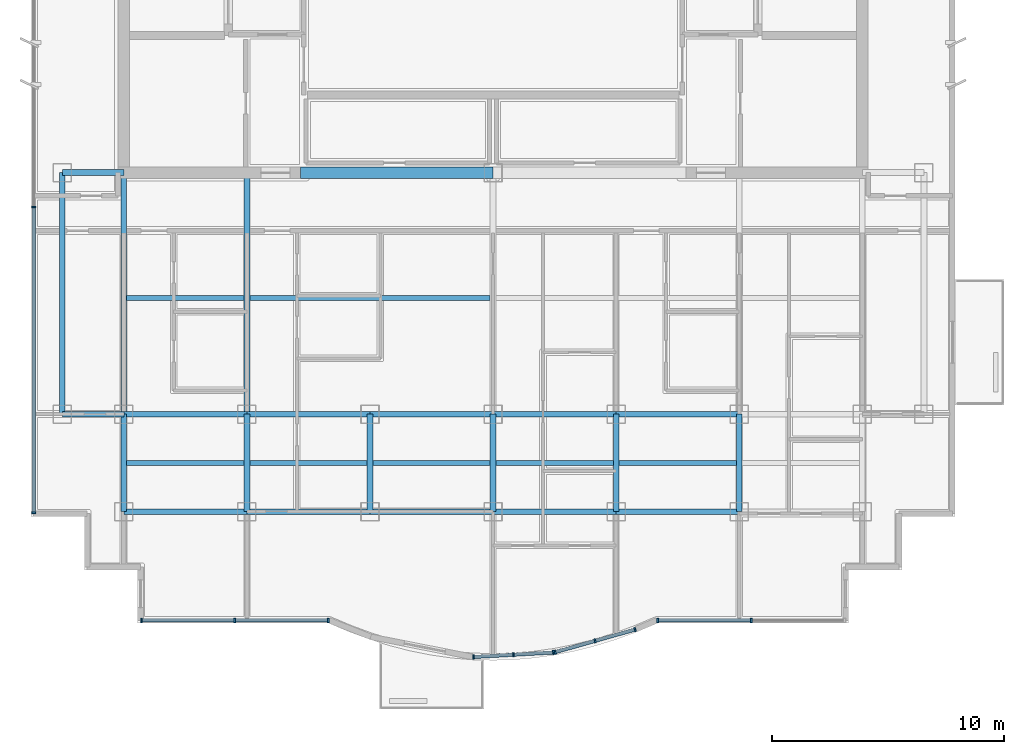
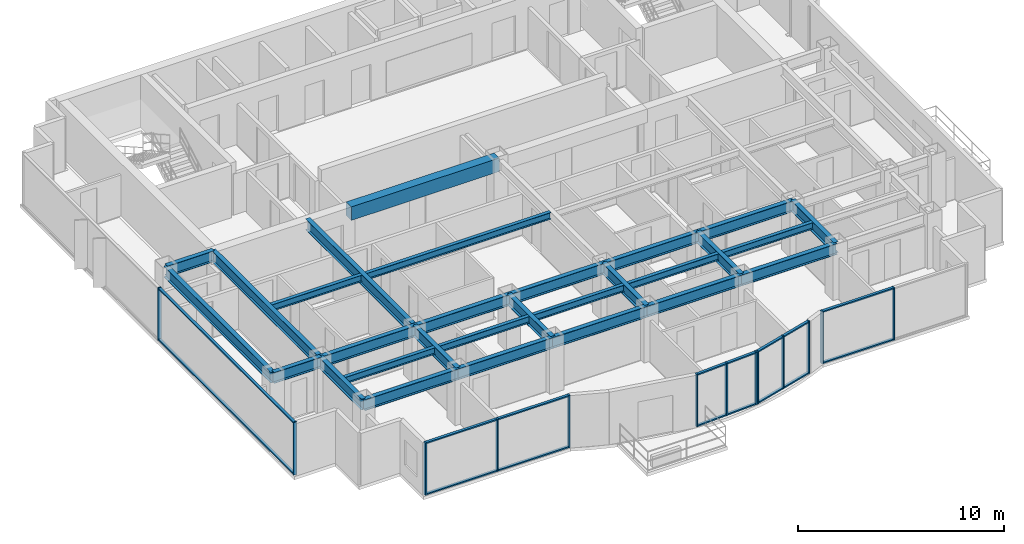
# One storey, part 2 of 11: 29 beams, 29 members, 5 elements without a shape of their own.
"""IFC4 building model written with IfcOpenShell, lengths in metres."""

from ifc_helpers import new_model, si_unit, direction, frame, origin, origin_2d, place, context, subcontext, project, spatial, rectangle, i_section, extrude, source, transform, mapped, material, layer, layer_set, material_profile, profile_set, type_object, element, aggregate, save


model = new_model("IFC4")

# Units and contexts
model_context = context("Model", 3, precision=1e-05, world=origin(), true_north=direction((0.0, 1.0)))
body_context = subcontext(model_context, "Body", "Model", "MODEL_VIEW")
ifc_project = project(units=[si_unit("LENGTHUNIT", "METRE"), si_unit("AREAUNIT", "SQUARE_METRE"), si_unit("VOLUMEUNIT", "CUBIC_METRE"), si_unit("PLANEANGLEUNIT", "RADIAN"), si_unit("MASSUNIT", "GRAM", prefix="KILO")], contexts=[model_context])

# Site, building, storey
site_placement = place(None, origin())
site = spatial("IfcSite", under=ifc_project, at=site_placement, CompositionType="ELEMENT")
building_placement = place(site_placement, origin())
building = spatial("IfcBuilding", under=site, at=building_placement, Name="Qianlan Lanfeng Residences", CompositionType="ELEMENT")
storey_placement = place(building_placement, frame((0.0, 0.0, 206.60009765625)))
storey = spatial("IfcBuildingStorey", under=building, at=storey_placement, Name="L56", CompositionType="ELEMENT", Elevation=206.60009765625)

# Beams
ifc_material_1 = material(Name="Steel SN490B", Category="steel")
ifc_material_profile_1 = material_profile(ifc_material_1, i_section(OverallWidth=0.25, OverallDepth=0.64990234375, WebThickness=0.012939453125, FlangeThickness=0.02197265625, at=origin_2d()), Name="H 650x250x13x22")
ifc_profile_set_1 = profile_set([ifc_material_profile_1], Name="Steel SN490B")
beam_type_1 = type_object("IfcBeamType", Name="G-650", PredefinedType="BEAM", material=ifc_profile_set_1)
beam_1_placement = place(storey_placement, frame((10.60009765625, 10.60009765625, 2.784912109375), z_axis=(1.0, 0.0, 0.0), x_axis=(0.0, 1.0, 0.0)))
element("IfcBeam", 1, at=beam_1_placement, inside=storey, type_object=beam_type_1, Name="Structural beam G-650", PredefinedType="BEAM", context=body_context, shape_type="SweptSolid", body=[
    extrude(i_section(OverallWidth=0.25, OverallDepth=0.64990234375, WebThickness=0.012939453125, FlangeThickness=0.02197265625, at=origin_2d()), origin(), (0.0, 0.0, 1.0), 5.2998046875),
])
for number, where, z_axis, x_axis, name in (
    (2, (15.89990234375, 10.60009765625, 2.784912109375), (1.0, 0.0, 0.0), (0.0, 1.0, 0.0), "Structural beam G-650"),
    (3, (21.199951171875, 10.60009765625, 2.784912109375), (1.0, 0.0, 0.0), (0.0, 1.0, 0.0), "Structural beam G-650"),
    (4, (26.5, 10.60009765625, 2.784912109375), (1.0, 0.0, 0.0), (0.0, 1.0, 0.0), "Structural beam G-650"),
    (5, (31.800048828125, 10.60009765625, 2.784912109375), (1.0, 0.0, 0.0), (0.0, 1.0, 0.0), "Structural beam G-650"),
):
    element("IfcBeam", number, at=place(storey_placement, frame(where, z_axis=z_axis, x_axis=x_axis)), inside=storey, type_object=beam_type_1, Name=name, PredefinedType="BEAM", context=body_context, shape_type="SweptSolid", body=[
        extrude(i_section(OverallWidth=0.25, OverallDepth=0.64990234375, WebThickness=0.012939453125, FlangeThickness=0.02197265625, at=origin_2d()), origin(), (0.0, 0.0, 1.0), 5.300048828125),
    ])
beam_2_placement = place(storey_placement, frame((7.949951171875, 14.800048828125, 2.784912109375), z_axis=(1.0, 0.0, 0.0), x_axis=(0.0, 1.0, 0.0)))
element("IfcBeam", 6, at=beam_2_placement, inside=storey, type_object=beam_type_1, Name="Structural beam G-650", PredefinedType="BEAM", context=body_context, shape_type="SweptSolid", body=[
    extrude(i_section(OverallWidth=0.25, OverallDepth=0.64990234375, WebThickness=0.012939453125, FlangeThickness=0.02197265625, at=origin_2d()), origin(), (0.0, 0.0, 1.0), 2.650146484375),
])
beam_3_placement = place(storey_placement, frame((10.60009765625, 14.800048828125, 2.784912109375), z_axis=(1.0, 0.0, 0.0), x_axis=(0.0, 1.0, 0.0)))
element("IfcBeam", 7, at=beam_3_placement, inside=storey, type_object=beam_type_1, Name="Structural beam G-650", PredefinedType="BEAM", context=body_context, shape_type="SweptSolid", body=[
    extrude(i_section(OverallWidth=0.25, OverallDepth=0.64990234375, WebThickness=0.012939453125, FlangeThickness=0.02197265625, at=origin_2d()), origin(), (0.0, 0.0, 1.0), 5.2998046875),
])
for number, where, z_axis, x_axis, name in (
    (8, (15.89990234375, 14.800048828125, 2.784912109375), (1.0, 0.0, 0.0), (0.0, 1.0, 0.0), "Structural beam G-650"),
    (9, (21.199951171875, 14.800048828125, 2.784912109375), (1.0, 0.0, 0.0), (0.0, 1.0, 0.0), "Structural beam G-650"),
    (10, (26.5, 14.800048828125, 2.784912109375), (1.0, 0.0, 0.0), (0.0, 1.0, 0.0), "Structural beam G-650"),
    (11, (31.800048828125, 14.800048828125, 2.784912109375), (1.0, 0.0, 0.0), (0.0, 1.0, 0.0), "Structural beam G-650"),
):
    element("IfcBeam", number, at=place(storey_placement, frame(where, z_axis=z_axis, x_axis=x_axis)), inside=storey, type_object=beam_type_1, Name=name, PredefinedType="BEAM", context=body_context, shape_type="SweptSolid", body=[
        extrude(i_section(OverallWidth=0.25, OverallDepth=0.64990234375, WebThickness=0.012939453125, FlangeThickness=0.02197265625, at=origin_2d()), origin(), (0.0, 0.0, 1.0), 5.300048828125),
    ])
beam_4_placement = place(storey_placement, frame((7.949951171875, 25.199951171875, 2.784912109375), z_axis=(1.0, 0.0, 0.0), x_axis=(0.0, 1.0, 0.0)))
element("IfcBeam", 12, at=beam_4_placement, inside=storey, type_object=beam_type_1, Name="Structural beam G-650", PredefinedType="BEAM", context=body_context, shape_type="SweptSolid", body=[
    extrude(i_section(OverallWidth=0.25, OverallDepth=0.64990234375, WebThickness=0.012939453125, FlangeThickness=0.02197265625, at=origin_2d()), origin(), (0.0, 0.0, 1.0), 2.650146484375),
])
beam_5_placement = place(storey_placement, frame((10.60009765625, 10.60009765625, 2.784912109375), z_axis=(0.0, 1.0, 0.0), x_axis=(-1.0, 0.0, 0.0)))
element("IfcBeam", 13, at=beam_5_placement, inside=storey, type_object=beam_type_1, Name="Structural beam G-650", PredefinedType="BEAM", context=body_context, shape_type="SweptSolid", body=[
    extrude(i_section(OverallWidth=0.25, OverallDepth=0.64990234375, WebThickness=0.012939453125, FlangeThickness=0.02197265625, at=origin_2d()), origin(), (0.0, 0.0, 1.0), 4.199951171875),
])
beam_6_placement = place(storey_placement, frame((10.60009765625, 14.800048828125, 2.784912109375), z_axis=(0.0, 1.0, 0.0), x_axis=(-1.0, 0.0, 0.0)))
element("IfcBeam", 14, at=beam_6_placement, inside=storey, type_object=beam_type_1, Name="Structural beam G-650", PredefinedType="BEAM", context=body_context, shape_type="SweptSolid", body=[
    extrude(i_section(OverallWidth=0.25, OverallDepth=0.64990234375, WebThickness=0.012939453125, FlangeThickness=0.02197265625, at=origin_2d()), origin(), (0.0, 0.0, 1.0), 10.39990234375),
])
beam_7_placement = place(storey_placement, frame((15.89990234375, 10.60009765625, 2.784912109375), z_axis=(0.0, 1.0, 0.0), x_axis=(-1.0, 0.0, 0.0)))
element("IfcBeam", 15, at=beam_7_placement, inside=storey, type_object=beam_type_1, Name="Structural beam G-650", PredefinedType="BEAM", context=body_context, shape_type="SweptSolid", body=[
    extrude(i_section(OverallWidth=0.25, OverallDepth=0.64990234375, WebThickness=0.012939453125, FlangeThickness=0.02197265625, at=origin_2d()), origin(), (0.0, 0.0, 1.0), 4.199951171875),
])
beam_8_placement = place(storey_placement, frame((15.89990234375, 14.800048828125, 2.784912109375), z_axis=(0.0, 1.0, 0.0), x_axis=(-1.0, 0.0, 0.0)))
element("IfcBeam", 16, at=beam_8_placement, inside=storey, type_object=beam_type_1, Name="Structural beam G-650", PredefinedType="BEAM", context=body_context, shape_type="SweptSolid", body=[
    extrude(i_section(OverallWidth=0.25, OverallDepth=0.64990234375, WebThickness=0.012939453125, FlangeThickness=0.02197265625, at=origin_2d()), origin(), (0.0, 0.0, 1.0), 10.39990234375),
])
for number, where, z_axis, x_axis, name in (
    (17, (21.199951171875, 10.60009765625, 2.784912109375), (0.0, 1.0, 0.0), (-1.0, 0.0, 0.0), "Structural beam G-650"),
    (18, (26.5, 10.60009765625, 2.784912109375), (0.0, 1.0, 0.0), (-1.0, 0.0, 0.0), "Structural beam G-650"),
    (19, (31.800048828125, 10.60009765625, 2.784912109375), (0.0, 1.0, 0.0), (-1.0, 0.0, 0.0), "Structural beam G-650"),
    (20, (37.10009765625, 10.60009765625, 2.784912109375), (0.0, 1.0, 0.0), (-1.0, 0.0, 0.0), "Structural beam G-650"),
):
    element("IfcBeam", number, at=place(storey_placement, frame(where, z_axis=z_axis, x_axis=x_axis)), inside=storey, type_object=beam_type_1, Name=name, PredefinedType="BEAM", context=body_context, shape_type="SweptSolid", body=[
        extrude(i_section(OverallWidth=0.25, OverallDepth=0.64990234375, WebThickness=0.012939453125, FlangeThickness=0.02197265625, at=origin_2d()), origin(), (0.0, 0.0, 1.0), 4.199951171875),
    ])
ifc_material_profile_2 = material_profile(ifc_material_1, i_section(OverallWidth=0.199951171875, OverallDepth=0.39990234375, WebThickness=0.008056640625, FlangeThickness=0.012939453125, at=origin_2d()), Name="H 400x200x8x13")
ifc_profile_set_2 = profile_set([ifc_material_profile_2], Name="Steel SN490B")
beam_type_2 = type_object("IfcBeamType", Name="J-400", PredefinedType="JOIST", material=ifc_profile_set_2)
beam_9_placement = place(storey_placement, frame((10.72509765625, 12.699951171875, 2.909912109375), z_axis=(1.0, 0.0, 0.0), x_axis=(0.0, 1.0, 0.0)))
element("IfcBeam", 21, at=beam_9_placement, inside=storey, type_object=beam_type_2, Name="Structural beam J-400", PredefinedType="JOIST", context=body_context, shape_type="SweptSolid", body=[
    extrude(i_section(OverallWidth=0.199951171875, OverallDepth=0.39990234375, WebThickness=0.008056640625, FlangeThickness=0.012939453125, at=origin_2d()), origin(), (0.0, 0.0, 1.0), 5.0498046875),
])
for number, where, z_axis, x_axis, name in (
    (22, (16.02490234375, 12.699951171875, 2.909912109375), (1.0, 0.0, 0.0), (0.0, 1.0, 0.0), "Structural beam J-400"),
    (23, (21.324951171875, 12.699951171875, 2.909912109375), (1.0, 0.0, 0.0), (0.0, 1.0, 0.0), "Structural beam J-400"),
    (24, (26.625, 12.699951171875, 2.909912109375), (1.0, 0.0, 0.0), (0.0, 1.0, 0.0), "Structural beam J-400"),
    (25, (31.925048828125, 12.699951171875, 2.909912109375), (1.0, 0.0, 0.0), (0.0, 1.0, 0.0), "Structural beam J-400"),
):
    element("IfcBeam", number, at=place(storey_placement, frame(where, z_axis=z_axis, x_axis=x_axis)), inside=storey, type_object=beam_type_2, Name=name, PredefinedType="JOIST", context=body_context, shape_type="SweptSolid", body=[
        extrude(i_section(OverallWidth=0.199951171875, OverallDepth=0.39990234375, WebThickness=0.008056640625, FlangeThickness=0.012939453125, at=origin_2d()), origin(), (0.0, 0.0, 1.0), 5.050048828125),
    ])
beam_10_placement = place(storey_placement, frame((10.72509765625, 19.800048828125, 2.909912109375), z_axis=(1.0, 0.0, 0.0), x_axis=(0.0, 1.0, 0.0)))
element("IfcBeam", 26, at=beam_10_placement, inside=storey, type_object=beam_type_2, Name="Structural beam J-400", PredefinedType="JOIST", context=body_context, shape_type="SweptSolid", body=[
    extrude(i_section(OverallWidth=0.199951171875, OverallDepth=0.39990234375, WebThickness=0.008056640625, FlangeThickness=0.012939453125, at=origin_2d()), origin(), (0.0, 0.0, 1.0), 5.0498046875),
])
beam_11_placement = place(storey_placement, frame((16.02490234375, 19.800048828125, 2.909912109375), z_axis=(1.0, 0.0, 0.0), x_axis=(0.0, 1.0, 0.0)))
element("IfcBeam", 27, at=beam_11_placement, inside=storey, type_object=beam_type_2, Name="Structural beam J-400", PredefinedType="JOIST", context=body_context, shape_type="SweptSolid", body=[
    extrude(i_section(OverallWidth=0.199951171875, OverallDepth=0.39990234375, WebThickness=0.008056640625, FlangeThickness=0.012939453125, at=origin_2d()), origin(), (0.0, 0.0, 1.0), 10.35009765625),
])
ifc_material_2 = material(Name="Concrete C49", Category="concrete")
ifc_material_profile_3 = material_profile(ifc_material_2, rectangle(XDim=0.5, YDim=0.800048828125, at=origin_2d()), Name="RC 500x800")
ifc_profile_set_3 = profile_set([ifc_material_profile_3], Name="Concrete C49")
beam_type_3 = type_object("IfcBeamType", Name="LB-RC750", PredefinedType="BEAM", material=ifc_profile_set_3)
beam_12_placement = place(storey_placement, frame((18.199951171875, 25.199951171875, 2.7099609375), z_axis=(1.0, 0.0, 0.0), x_axis=(0.0, 1.0, 0.0)))
element("IfcBeam", 28, at=beam_12_placement, inside=storey, type_object=beam_type_3, Name="L56 Core Coupling Beam W", PredefinedType="BEAM", context=body_context, shape_type="SweptSolid", body=[
    extrude(rectangle(XDim=0.5, YDim=0.800048828125, at=origin_2d()), origin(), (0.0, 0.0, 1.0), 8.300048828125),
])
ifc_material_profile_4 = material_profile(ifc_material_1, i_section(OverallWidth=0.25, OverallDepth=0.64990234375, WebThickness=0.012939453125, FlangeThickness=0.02197265625, at=origin_2d()), Name="H 650x250x13x22")
ifc_profile_set_4 = profile_set([ifc_material_profile_4], Name="Steel SN490B")
beam_type_4 = type_object("IfcBeamType", Name="SG-650", PredefinedType="SPANDREL", material=ifc_profile_set_4)
beam_13_placement = place(storey_placement, frame((7.949951171875, 14.800048828125, 2.764892578125), z_axis=(0.0, 1.0, 0.0), x_axis=(-1.0, 0.0, 0.0)))
element("IfcBeam", 29, at=beam_13_placement, inside=storey, type_object=beam_type_4, Name="Structural beam SG-650", PredefinedType="SPANDREL", context=body_context, shape_type="SweptSolid", body=[
    extrude(i_section(OverallWidth=0.25, OverallDepth=0.64990234375, WebThickness=0.012939453125, FlangeThickness=0.02197265625, at=origin_2d()), origin(), (0.0, 0.0, 1.0), 10.39990234375),
])

# Curtain wall, members
ifc_material_3 = material(Name="Anodised Bronze Aluminium 6063-T6", Category="aluminium")
ifc_layer = layer(ifc_material_3, 0.219970703125)
ifc_layer_set = layer_set([ifc_layer], Name="Anodised Bronze Aluminium 6063-T6")
curtain_wall_type = type_object("IfcCurtainWallType", Name="CW-05", PredefinedType="NOTDEFINED", material=ifc_layer_set)
curtain_wall_1_placement = place(storey_placement, origin())
curtain_wall_1 = element("IfcCurtainWall", 30, at=curtain_wall_1_placement, inside=storey, type_object=curtain_wall_type, Name="L56 Unitised Curtain Wall CWR-L56-01 (CW-05)", PredefinedType="NOTDEFINED")
ifc_material_profile_5 = material_profile(ifc_material_3, rectangle(XDim=0.074951171875, YDim=0.14990234375, at=origin_2d()), Name="ALU TRANSOM 75x150")
ifc_profile_set_5 = profile_set([ifc_material_profile_5], Name="Anodised Bronze Aluminium 6063-T6")
member_type_1 = type_object("IfcMemberType", Name="CWT-150", PredefinedType="USERDEFINED", material=ifc_profile_set_5)
shared_shape_1 = source(origin(), body_context, "Body", "SweptSolid", [
    extrude(rectangle(XDim=0.074951171875, YDim=0.14990234375, at=origin_2d()), origin(), (0.0, 0.0, 1.0), 3.949462890625),
])
member_1_placement = place(storey_placement, frame((11.39501953125, 5.919921875, 0.037353515625), z_axis=(1.0, 0.0, 0.0), x_axis=(0.0, 0.0, 1.0)))
member_1 = element("IfcMember", 31, at=member_1_placement, type_object=member_type_1, Name="CWR-L56-01 Transom 1-BOT", ObjectType="TRANSOM", PredefinedType="USERDEFINED", context=body_context, shape_type="MappedRepresentation", body=[
    mapped(shared_shape_1, transform((0.0, 0.0, 0.0), scale=1.0)),
])
member_2_placement = place(storey_placement, frame((11.39501953125, 5.919921875, 3.072509765625), z_axis=(1.0, 0.0, 0.0), x_axis=(0.0, 0.0, 1.0)))
member_2 = element("IfcMember", 32, at=member_2_placement, type_object=member_type_1, Name="CWR-L56-01 Transom 1-TOP", ObjectType="TRANSOM", PredefinedType="USERDEFINED", context=body_context, shape_type="MappedRepresentation", body=[
    mapped(shared_shape_1, transform((0.0, 0.0, 0.0), scale=1.0)),
])
member_3_placement = place(storey_placement, frame((15.41943359375, 5.919921875, 0.037353515625), z_axis=(1.0, 0.0, 0.0), x_axis=(0.0, 0.0, 1.0)))
member_3 = element("IfcMember", 33, at=member_3_placement, type_object=member_type_1, Name="CWR-L56-01 Transom 2-BOT", ObjectType="TRANSOM", PredefinedType="USERDEFINED", context=body_context, shape_type="MappedRepresentation", body=[
    mapped(shared_shape_1, transform((0.0, 0.0, 0.0), scale=1.0)),
])
member_4_placement = place(storey_placement, frame((15.41943359375, 5.919921875, 3.072509765625), z_axis=(1.0, 0.0, 0.0), x_axis=(0.0, 0.0, 1.0)))
member_4 = element("IfcMember", 34, at=member_4_placement, type_object=member_type_1, Name="CWR-L56-01 Transom 2-TOP", ObjectType="TRANSOM", PredefinedType="USERDEFINED", context=body_context, shape_type="MappedRepresentation", body=[
    mapped(shared_shape_1, transform((0.0, 0.0, 0.0), scale=1.0)),
])

curtain_wall_2_placement = place(storey_placement, origin())
curtain_wall_2 = element("IfcCurtainWall", 35, at=curtain_wall_2_placement, inside=storey, type_object=curtain_wall_type, Name="L56 Unitised Curtain Wall CWR-L56-04 (CW-05)", PredefinedType="NOTDEFINED")
member_5_placement = place(storey_placement, frame((33.631103515625, 5.919921875, 0.037353515625), z_axis=(1.0, 0.0, 0.0), x_axis=(0.0, 0.0, 1.0)))
member_5 = element("IfcMember", 36, at=member_5_placement, type_object=member_type_1, Name="CWR-L56-04 Transom 1-BOT", ObjectType="TRANSOM", PredefinedType="USERDEFINED", context=body_context, shape_type="MappedRepresentation", body=[
    mapped(shared_shape_1, transform((0.0, 0.0, 0.0), scale=1.0)),
])
member_6_placement = place(storey_placement, frame((33.631103515625, 5.919921875, 3.072509765625), z_axis=(1.0, 0.0, 0.0), x_axis=(0.0, 0.0, 1.0)))
member_6 = element("IfcMember", 37, at=member_6_placement, type_object=member_type_1, Name="CWR-L56-04 Transom 1-TOP", ObjectType="TRANSOM", PredefinedType="USERDEFINED", context=body_context, shape_type="MappedRepresentation", body=[
    mapped(shared_shape_1, transform((0.0, 0.0, 0.0), scale=1.0)),
])

curtain_wall_3_placement = place(storey_placement, origin())
curtain_wall_3 = element("IfcCurtainWall", 38, at=curtain_wall_3_placement, inside=storey, type_object=curtain_wall_type, Name="L56 Unitised Curtain Wall CWR-L56-05 (CW-05)", PredefinedType="NOTDEFINED")
shared_shape_2 = source(origin(), body_context, "Body", "SweptSolid", [
    extrude(rectangle(XDim=0.074951171875, YDim=0.14990234375, at=origin_2d()), origin(), (0.0, 0.0, 1.0), 13.092529296875),
])
member_7_placement = place(storey_placement, frame((6.719970703125, 23.6875, 0.037353515625), z_axis=(0.0, -1.0, 0.0), x_axis=(0.0, 0.0, 1.0)))
member_7 = element("IfcMember", 39, at=member_7_placement, type_object=member_type_1, Name="CWR-L56-05 Transom 2-BOT", ObjectType="TRANSOM", PredefinedType="USERDEFINED", context=body_context, shape_type="MappedRepresentation", body=[
    mapped(shared_shape_2, transform((0.0, 0.0, 0.0), scale=1.0)),
])
member_8_placement = place(storey_placement, frame((6.719970703125, 23.6875, 3.072509765625), z_axis=(0.0, -1.0, 0.0), x_axis=(0.0, 0.0, 1.0)))
member_8 = element("IfcMember", 40, at=member_8_placement, type_object=member_type_1, Name="CWR-L56-05 Transom 2-TOP", ObjectType="TRANSOM", PredefinedType="USERDEFINED", context=body_context, shape_type="MappedRepresentation", body=[
    mapped(shared_shape_2, transform((0.0, 0.0, 0.0), scale=1.0)),
])

# Member
ifc_material_profile_6 = material_profile(ifc_material_3, rectangle(XDim=0.074951171875, YDim=0.179931640625, at=origin_2d()), Name="ALU MULLION 75x180")
ifc_profile_set_6 = profile_set([ifc_material_profile_6], Name="Anodised Bronze Aluminium 6063-T6")
member_type_2 = type_object("IfcMemberType", Name="CWM-180", PredefinedType="MULLION", material=ifc_profile_set_6)
shared_shape_3 = source(origin(), body_context, "Body", "SweptSolid", [
    extrude(rectangle(XDim=0.074951171875, YDim=0.179931640625, at=origin_2d()), origin(), (0.0, 0.0, 1.0), 3.10986328125),
])
member_9_placement = place(storey_placement, frame((11.357421875, 5.919921875, 0.0), z_axis=(0.0, 0.0, 1.0), x_axis=(1.0, 0.0, 0.0)))
member_9 = element("IfcMember", 41, at=member_9_placement, type_object=member_type_2, Name="CWR-L56-01 Mullion 1", PredefinedType="MULLION", context=body_context, shape_type="MappedRepresentation", body=[
    mapped(shared_shape_3, transform((0.0, 0.0, 0.0), scale=1.0)),
])

member_10_placement = place(storey_placement, frame((15.382080078125, 5.919921875, 0.0), z_axis=(0.0, 0.0, 1.0), x_axis=(1.0, 0.0, 0.0)))
member_10 = element("IfcMember", 42, at=member_10_placement, type_object=member_type_2, Name="CWR-L56-01 Mullion 2", PredefinedType="MULLION", context=body_context, shape_type="MappedRepresentation", body=[
    mapped(shared_shape_3, transform((0.0, 0.0, 0.0), scale=1.0)),
])

member_11_placement = place(storey_placement, frame((19.406494140625, 5.919921875, 0.0), z_axis=(0.0, 0.0, 1.0), x_axis=(1.0, 0.0, 0.0)))
member_11 = element("IfcMember", 43, at=member_11_placement, type_object=member_type_2, Name="CWR-L56-01 Mullion 3", PredefinedType="MULLION", context=body_context, shape_type="MappedRepresentation", body=[
    mapped(shared_shape_3, transform((0.0, 0.0, 0.0), scale=1.0)),
])

aggregate(curtain_wall_1, [member_9, member_10, member_11, member_1, member_2, member_3, member_4])

# Curtain wall, members
curtain_wall_4_placement = place(storey_placement, origin())
curtain_wall_4 = element("IfcCurtainWall", 44, at=curtain_wall_4_placement, inside=storey, type_object=curtain_wall_type, Name="L56 Unitised Curtain Wall CWR-L56-02 (CW-05)", PredefinedType="NOTDEFINED")
member_12_placement = place(storey_placement, frame((25.659423828125, 4.34716796875, 0.0), z_axis=(0.0, 0.0, 1.0), x_axis=(0.998415428603, 0.056272834713, 0.0)))
member_12 = element("IfcMember", 45, at=member_12_placement, type_object=member_type_2, Name="CWR-L56-02 Mullion 1", PredefinedType="MULLION", context=body_context, shape_type="MappedRepresentation", body=[
    mapped(shared_shape_3, transform((0.0, 0.0, 0.0), scale=1.0)),
])
member_13_placement = place(storey_placement, frame((27.37841796875, 4.444091796875, 0.0), z_axis=(0.0, 0.0, 1.0), x_axis=(0.998415428603, 0.056272834713, 0.0)))
member_13 = element("IfcMember", 46, at=member_13_placement, type_object=member_type_2, Name="CWR-L56-02 Mullion 2", PredefinedType="MULLION", context=body_context, shape_type="MappedRepresentation", body=[
    mapped(shared_shape_3, transform((0.0, 0.0, 0.0), scale=1.0)),
])
member_14_placement = place(storey_placement, frame((29.09765625, 4.541015625, 0.0), z_axis=(0.0, 0.0, 1.0), x_axis=(0.998415428603, 0.056272834713, 0.0)))
member_14 = element("IfcMember", 47, at=member_14_placement, type_object=member_type_2, Name="CWR-L56-02 Mullion 3", PredefinedType="MULLION", context=body_context, shape_type="MappedRepresentation", body=[
    mapped(shared_shape_3, transform((0.0, 0.0, 0.0), scale=1.0)),
])

curtain_wall_5_placement = place(storey_placement, origin())
curtain_wall_5 = element("IfcCurtainWall", 48, at=curtain_wall_5_placement, inside=storey, type_object=curtain_wall_type, Name="L56 Unitised Curtain Wall CWR-L56-03 (CW-05)", PredefinedType="NOTDEFINED")
member_15_placement = place(storey_placement, frame((29.171142578125, 4.55322265625, 0.0), z_axis=(0.0, 0.0, 1.0), x_axis=(0.962284495419, 0.272045124705, 0.0)))
member_15 = element("IfcMember", 49, at=member_15_placement, type_object=member_type_2, Name="CWR-L56-03 Mullion 1", PredefinedType="MULLION", context=body_context, shape_type="MappedRepresentation", body=[
    mapped(shared_shape_3, transform((0.0, 0.0, 0.0), scale=1.0)),
])
member_16_placement = place(storey_placement, frame((30.89306640625, 5.0400390625, 0.0), z_axis=(0.0, 0.0, 1.0), x_axis=(0.962284495419, 0.272045124705, 0.0)))
member_16 = element("IfcMember", 50, at=member_16_placement, type_object=member_type_2, Name="CWR-L56-03 Mullion 2", PredefinedType="MULLION", context=body_context, shape_type="MappedRepresentation", body=[
    mapped(shared_shape_3, transform((0.0, 0.0, 0.0), scale=1.0)),
])
member_17_placement = place(storey_placement, frame((32.614990234375, 5.52685546875, 0.0), z_axis=(0.0, 0.0, 1.0), x_axis=(0.962284495419, 0.272045124705, 0.0)))
member_17 = element("IfcMember", 51, at=member_17_placement, type_object=member_type_2, Name="CWR-L56-03 Mullion 3", PredefinedType="MULLION", context=body_context, shape_type="MappedRepresentation", body=[
    mapped(shared_shape_3, transform((0.0, 0.0, 0.0), scale=1.0)),
])

# Member
member_18_placement = place(storey_placement, frame((33.593505859375, 5.919921875, 0.0), z_axis=(0.0, 0.0, 1.0), x_axis=(1.0, 0.0, 0.0)))
member_18 = element("IfcMember", 52, at=member_18_placement, type_object=member_type_2, Name="CWR-L56-04 Mullion 1", PredefinedType="MULLION", context=body_context, shape_type="MappedRepresentation", body=[
    mapped(shared_shape_3, transform((0.0, 0.0, 0.0), scale=1.0)),
])

member_19_placement = place(storey_placement, frame((37.617919921875, 5.919921875, 0.0), z_axis=(0.0, 0.0, 1.0), x_axis=(1.0, 0.0, 0.0)))
member_19 = element("IfcMember", 53, at=member_19_placement, type_object=member_type_2, Name="CWR-L56-04 Mullion 2", PredefinedType="MULLION", context=body_context, shape_type="MappedRepresentation", body=[
    mapped(shared_shape_3, transform((0.0, 0.0, 0.0), scale=1.0)),
])

aggregate(curtain_wall_2, [member_18, member_19, member_5, member_6])

member_20_placement = place(storey_placement, frame((6.719970703125, 23.72509765625, 0.0), z_axis=(0.0, 0.0, 1.0), x_axis=(0.0, -1.0, 0.0)))
member_20 = element("IfcMember", 54, at=member_20_placement, type_object=member_type_2, Name="CWR-L56-05 Mullion 2", PredefinedType="MULLION", context=body_context, shape_type="MappedRepresentation", body=[
    mapped(shared_shape_3, transform((0.0, 0.0, 0.0), scale=1.0)),
])

member_21_placement = place(storey_placement, frame((6.719970703125, 10.5576171875, 0.0), z_axis=(0.0, 0.0, 1.0), x_axis=(0.0, -1.0, 0.0)))
member_21 = element("IfcMember", 55, at=member_21_placement, type_object=member_type_2, Name="CWR-L56-05 Mullion 3", PredefinedType="MULLION", context=body_context, shape_type="MappedRepresentation", body=[
    mapped(shared_shape_3, transform((0.0, 0.0, 0.0), scale=1.0)),
])

aggregate(curtain_wall_3, [member_20, member_21, member_7, member_8])

shared_shape_4 = source(origin(), body_context, "Body", "SweptSolid", [
    extrude(rectangle(XDim=0.074951171875, YDim=0.14990234375, at=origin_2d()), origin(), (0.0, 0.0, 1.0), 1.646728515625),
])
member_22_placement = place(storey_placement, frame((25.697021484375, 4.34912109375, 0.037353515625), z_axis=(0.998411616838, 0.056340423879, 0.0), x_axis=(0.0, 0.0, 1.0)))
member_22 = element("IfcMember", 56, at=member_22_placement, type_object=member_type_1, Name="CWR-L56-02 Transom 1-BOT", ObjectType="TRANSOM", PredefinedType="USERDEFINED", context=body_context, shape_type="MappedRepresentation", body=[
    mapped(shared_shape_4, transform((0.0, 0.0, 0.0), scale=1.0)),
])

member_23_placement = place(storey_placement, frame((25.697021484375, 4.34912109375, 3.072509765625), z_axis=(0.998411616838, 0.056340423879, 0.0), x_axis=(0.0, 0.0, 1.0)))
member_23 = element("IfcMember", 57, at=member_23_placement, type_object=member_type_1, Name="CWR-L56-02 Transom 1-TOP", ObjectType="TRANSOM", PredefinedType="USERDEFINED", context=body_context, shape_type="MappedRepresentation", body=[
    mapped(shared_shape_4, transform((0.0, 0.0, 0.0), scale=1.0)),
])

member_24_placement = place(storey_placement, frame((27.416015625, 4.446044921875, 0.037353515625), z_axis=(0.998411616838, 0.056340423879, 0.0), x_axis=(0.0, 0.0, 1.0)))
member_24 = element("IfcMember", 58, at=member_24_placement, type_object=member_type_1, Name="CWR-L56-02 Transom 2-BOT", ObjectType="TRANSOM", PredefinedType="USERDEFINED", context=body_context, shape_type="MappedRepresentation", body=[
    mapped(shared_shape_4, transform((0.0, 0.0, 0.0), scale=1.0)),
])

member_25_placement = place(storey_placement, frame((27.416015625, 4.446044921875, 3.072509765625), z_axis=(0.998411616838, 0.056340423879, 0.0), x_axis=(0.0, 0.0, 1.0)))
member_25 = element("IfcMember", 59, at=member_25_placement, type_object=member_type_1, Name="CWR-L56-02 Transom 2-TOP", ObjectType="TRANSOM", PredefinedType="USERDEFINED", context=body_context, shape_type="MappedRepresentation", body=[
    mapped(shared_shape_4, transform((0.0, 0.0, 0.0), scale=1.0)),
])

aggregate(curtain_wall_4, [member_12, member_13, member_14, member_22, member_23, member_24, member_25])

shared_shape_5 = source(origin(), body_context, "Body", "SweptSolid", [
    extrude(rectangle(XDim=0.074951171875, YDim=0.14990234375, at=origin_2d()), origin(), (0.0, 0.0, 1.0), 1.71435546875),
])
member_26_placement = place(storey_placement, frame((29.207275390625, 4.5634765625, 0.037353515625), z_axis=(0.9622940071, 0.272011477514, 0.0), x_axis=(0.0, 0.0, 1.0)))
member_26 = element("IfcMember", 60, at=member_26_placement, type_object=member_type_1, Name="CWR-L56-03 Transom 1-BOT", ObjectType="TRANSOM", PredefinedType="USERDEFINED", context=body_context, shape_type="MappedRepresentation", body=[
    mapped(shared_shape_5, transform((0.0, 0.0, 0.0), scale=1.0)),
])

member_27_placement = place(storey_placement, frame((29.207275390625, 4.5634765625, 3.072509765625), z_axis=(0.9622940071, 0.272011477514, 0.0), x_axis=(0.0, 0.0, 1.0)))
member_27 = element("IfcMember", 61, at=member_27_placement, type_object=member_type_1, Name="CWR-L56-03 Transom 1-TOP", ObjectType="TRANSOM", PredefinedType="USERDEFINED", context=body_context, shape_type="MappedRepresentation", body=[
    mapped(shared_shape_5, transform((0.0, 0.0, 0.0), scale=1.0)),
])

member_28_placement = place(storey_placement, frame((30.92919921875, 5.05029296875, 0.037353515625), z_axis=(0.9622940071, 0.272011477514, 0.0), x_axis=(0.0, 0.0, 1.0)))
member_28 = element("IfcMember", 62, at=member_28_placement, type_object=member_type_1, Name="CWR-L56-03 Transom 2-BOT", ObjectType="TRANSOM", PredefinedType="USERDEFINED", context=body_context, shape_type="MappedRepresentation", body=[
    mapped(shared_shape_5, transform((0.0, 0.0, 0.0), scale=1.0)),
])

member_29_placement = place(storey_placement, frame((30.92919921875, 5.05029296875, 3.072509765625), z_axis=(0.9622940071, 0.272011477514, 0.0), x_axis=(0.0, 0.0, 1.0)))
member_29 = element("IfcMember", 63, at=member_29_placement, type_object=member_type_1, Name="CWR-L56-03 Transom 2-TOP", ObjectType="TRANSOM", PredefinedType="USERDEFINED", context=body_context, shape_type="MappedRepresentation", body=[
    mapped(shared_shape_5, transform((0.0, 0.0, 0.0), scale=1.0)),
])

aggregate(curtain_wall_5, [member_15, member_16, member_17, member_26, member_27, member_28, member_29])

save(model, "model.ifc")
